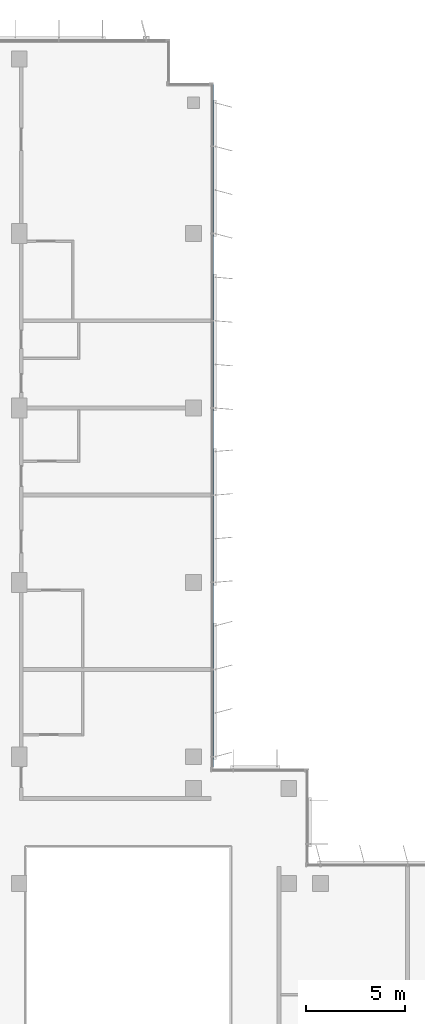
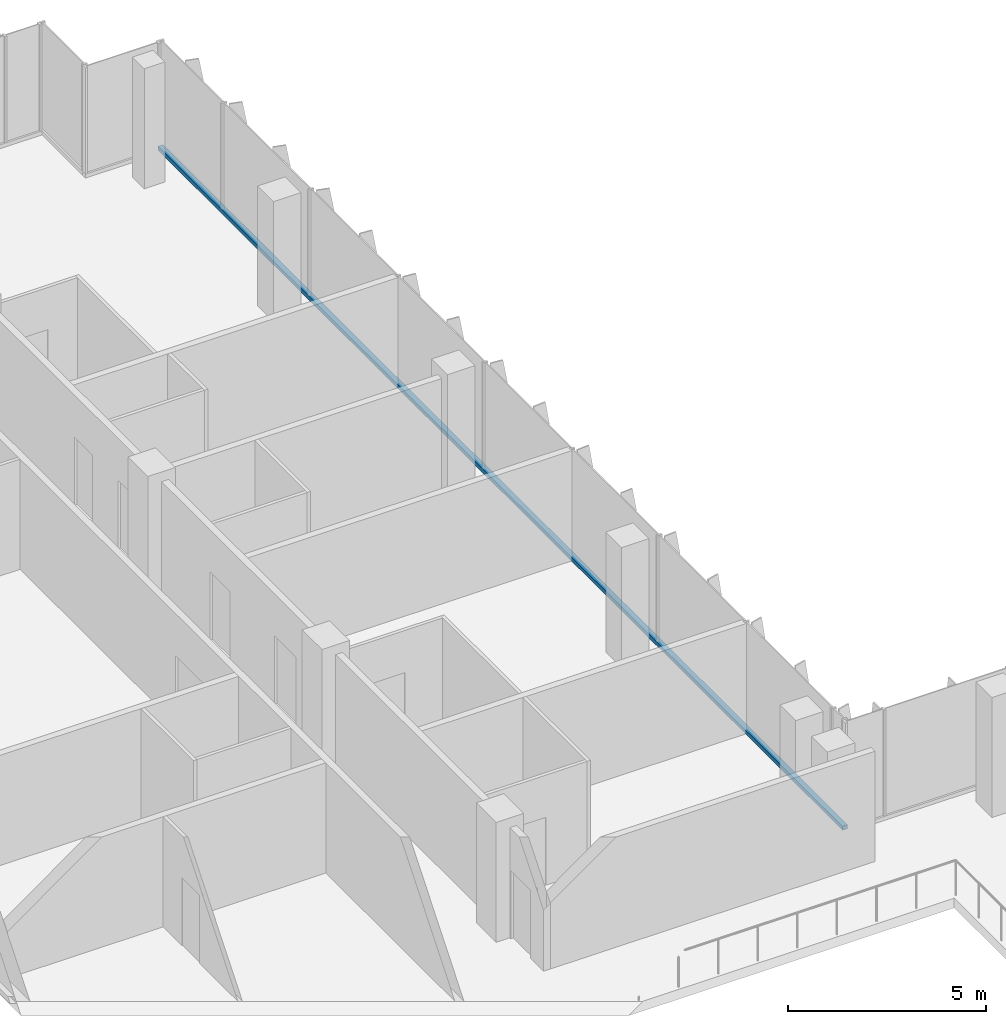
# One storey, part 5 of 15: 1 member, 1 element without a shape of its own.
"""IFC4 building model written with IfcOpenShell, lengths in metres."""

from ifc_helpers import new_model, si_unit, direction, frame, origin, origin_2d, place, context, subcontext, project, spatial, rectangle, extrude, material, material_profile, profile_set, type_object, element, aggregate, save


model = new_model("IFC4")

# Units and contexts
model_context = context("Model", 3, precision=1e-05, world=origin(), true_north=direction((0.0, 1.0)))
body_context = subcontext(model_context, "Body", "Model", "MODEL_VIEW")
ifc_project = project(units=[si_unit("LENGTHUNIT", "METRE"), si_unit("AREAUNIT", "SQUARE_METRE"), si_unit("VOLUMEUNIT", "CUBIC_METRE"), si_unit("PLANEANGLEUNIT", "RADIAN"), si_unit("MASSUNIT", "GRAM", prefix="KILO")], contexts=[model_context])

# Site, building, storey
site_placement = place(None, origin())
site = spatial("IfcSite", under=ifc_project, at=site_placement, CompositionType="ELEMENT")
building_placement = place(site_placement, origin())
building = spatial("IfcBuilding", under=site, at=building_placement, Name="Kemantara Hotel Tower", CompositionType="ELEMENT")
storey_placement = place(building_placement, frame((0.0, 0.0, 275.89990234375)))
storey = spatial("IfcBuildingStorey", under=building, at=storey_placement, Name="L69", CompositionType="ELEMENT", Elevation=275.89990234375)

# Curtain wall, member
ifc_material_1 = material(Name="Low-E tinted double insulated glass 36 mm", Category="glass")
curtain_wall_type = type_object("IfcCurtainWallType", Name="TOWER CURTAIN WALL, FRONT FACES", PredefinedType="USERDEFINED", material=ifc_material_1)
curtain_wall_placement = place(storey_placement, origin())
curtain_wall = element("IfcCurtainWall", 1, at=curtain_wall_placement, inside=storey, type_object=curtain_wall_type, Name="CW4 L69 T4-R15-1", ObjectType="TOWER CURTAIN WALL, FRONT FACES", PredefinedType="USERDEFINED")
ifc_material_2 = material(Name="Aluminium 6063-T6 bronze anodised", Category="aluminium")
ifc_material_profile = material_profile(ifc_material_2, rectangle(XDim=0.14990234375, YDim=0.1201171875, at=origin_2d()), Name="TOWER CURTAIN WALL, FRONT FACES TRANSOM")
ifc_profile_set = profile_set([ifc_material_profile], Name="Aluminium 6063-T6 bronze anodised")
member_type = type_object("IfcMemberType", Name="TOWER CURTAIN WALL, FRONT FACES TRANSOM", PredefinedType="USERDEFINED", material=ifc_profile_set)
member_placement = place(storey_placement, frame((21.925048828125, 26.800048828125, 0.06005859375), z_axis=(0.0, 1.0, 0.0), x_axis=(-1.0, 0.0, 0.0)))
member = element("IfcMember", 2, at=member_placement, type_object=member_type, Name="CW4 sill transom T4-R15-1", ObjectType="TRANSOM", PredefinedType="USERDEFINED", context=body_context, shape_type="SweptSolid", body=[
    extrude(rectangle(XDim=0.14990234375, YDim=0.1201171875, at=origin_2d()), origin(), (0.0, 0.0, 1.0), 34.599853515625),
])
aggregate(curtain_wall, [member])

save(model, "model.ifc")
